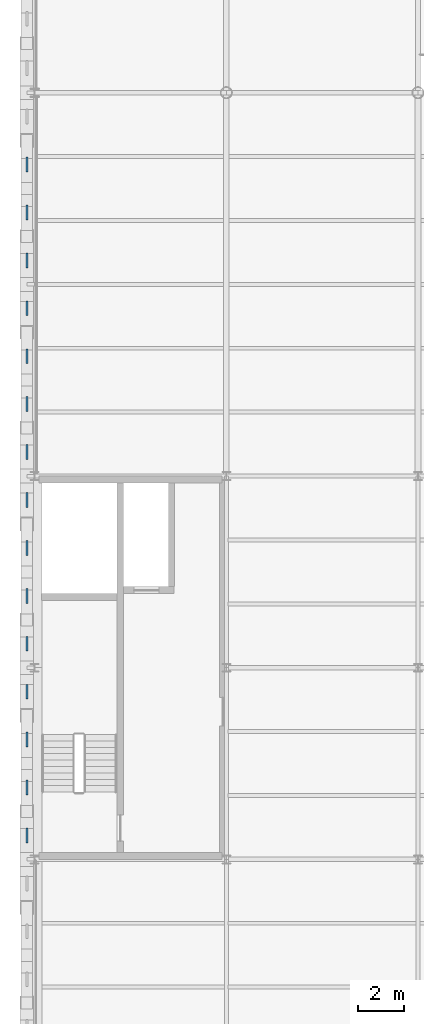
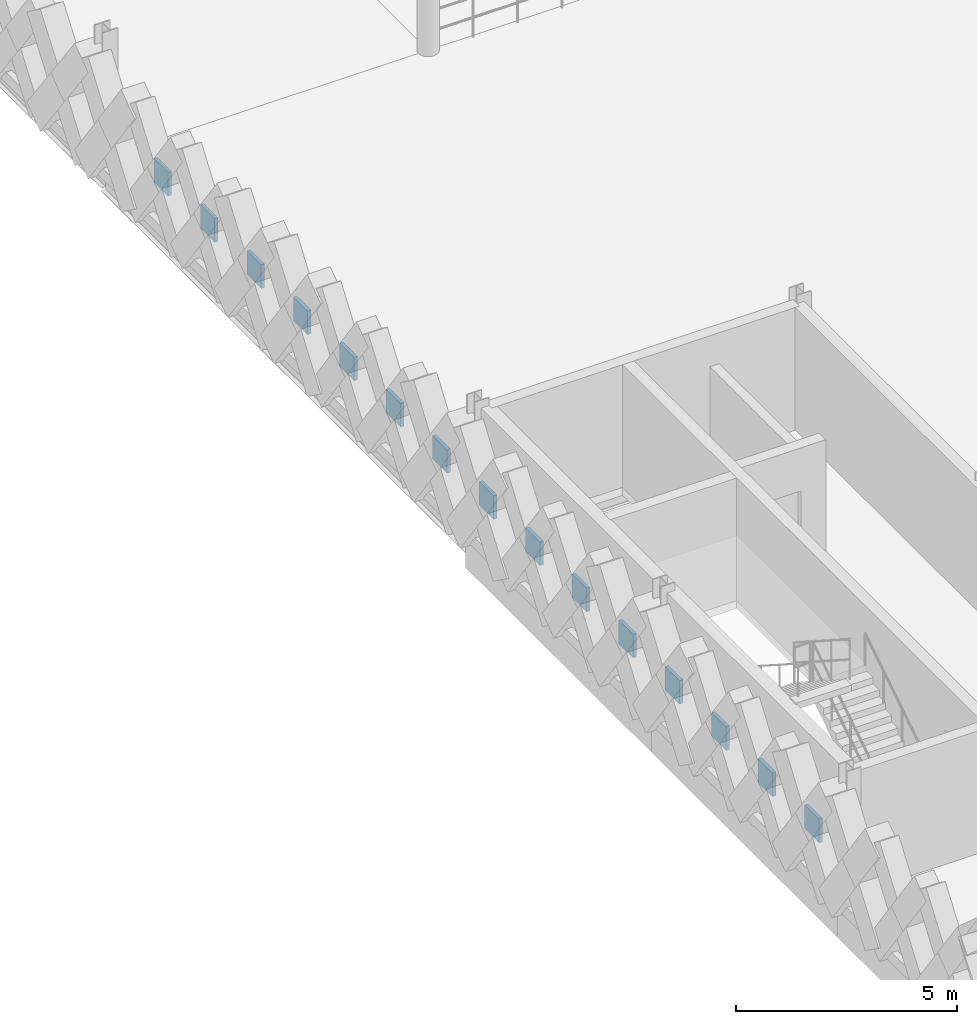
# One storey, part 78 of 101: 15 plates.
"""IFC4 building model written with IfcOpenShell, lengths in metres."""

from ifc_helpers import new_model, si_unit, direction, frame, origin, origin_2d, place, context, subcontext, project, spatial, rectangle, extrude, material, layer, layer_set, type_object, element, save


model = new_model("IFC4")

# Units and contexts
model_context = context("Model", 3, precision=1e-05, world=origin(), true_north=direction((0.0, 1.0)))
body_context = subcontext(model_context, "Body", "Model", "MODEL_VIEW")
ifc_project = project(units=[si_unit("LENGTHUNIT", "METRE"), si_unit("AREAUNIT", "SQUARE_METRE"), si_unit("VOLUMEUNIT", "CUBIC_METRE"), si_unit("PLANEANGLEUNIT", "RADIAN"), si_unit("MASSUNIT", "GRAM", prefix="KILO"), si_unit("THERMODYNAMICTEMPERATUREUNIT", "KELVIN"), si_unit("POWERUNIT", "WATT")], contexts=[model_context])

# Site, building, storey
site_placement = place(None, origin())
site = spatial("IfcSite", under=ifc_project, at=site_placement, CompositionType="ELEMENT")
building_placement = place(site_placement, origin())
building = spatial("IfcBuilding", under=site, at=building_placement, Name="Tembeka Court Mobility Hub", CompositionType="ELEMENT")
storey_placement = place(building_placement, frame((0.0, 0.0, 5.39990234375)))
storey = spatial("IfcBuildingStorey", under=building, at=storey_placement, Name="L01", CompositionType="ELEMENT", Elevation=5.39990234375)

# Plates
ifc_material = material(Name="Precast concrete C45/55", Category="concrete")
ifc_layer = layer(ifc_material, 0.090087890625)
ifc_layer_set = layer_set([ifc_layer], Name="Precast concrete C45/55")
plate_type = type_object("IfcPlateType", Name="PL-PC01", PredefinedType="SHEET", material=ifc_layer_set)
for number, where, z_axis, x_axis, name in (
    (1, (-0.340087890625, 64.64990234375, 1.16015625), (0.0, 0.0, 1.0), (1.0, 0.0, 0.0), "Precast diamond lattice node plate PCN01 (L01-119)"),
    (2, (-0.340087890625, 66.75, 1.16015625), (0.0, 0.0, 1.0), (1.0, 0.0, 0.0), "Precast diamond lattice node plate PCN01 (L01-120)"),
    (3, (-0.340087890625, 68.85009765625, 1.16015625), (0.0, 0.0, 1.0), (1.0, 0.0, 0.0), "Precast diamond lattice node plate PCN01 (L01-121)"),
    (4, (-0.340087890625, 70.949951171875, 1.16015625), (0.0, 0.0, 1.0), (1.0, 0.0, 0.0), "Precast diamond lattice node plate PCN01 (L01-122)"),
    (5, (-0.340087890625, 73.050048828125, 1.16015625), (0.0, 0.0, 1.0), (1.0, 0.0, 0.0), "Precast diamond lattice node plate PCN01 (L01-123)"),
    (6, (-0.340087890625, 75.14990234375, 1.16015625), (0.0, 0.0, 1.0), (1.0, 0.0, 0.0), "Precast diamond lattice node plate PCN01 (L01-124)"),
    (7, (-0.340087890625, 77.25, 1.16015625), (0.0, 0.0, 1.0), (1.0, 0.0, 0.0), "Precast diamond lattice node plate PCN01 (L01-125)"),
    (8, (-0.340087890625, 79.35009765625, 1.16015625), (0.0, 0.0, 1.0), (1.0, 0.0, 0.0), "Precast diamond lattice node plate PCN01 (L01-126)"),
    (9, (-0.340087890625, 81.449951171875, 1.16015625), (0.0, 0.0, 1.0), (1.0, 0.0, 0.0), "Precast diamond lattice node plate PCN01 (L01-127)"),
    (10, (-0.340087890625, 83.550048828125, 1.16015625), (0.0, 0.0, 1.0), (1.0, 0.0, 0.0), "Precast diamond lattice node plate PCN01 (L01-128)"),
    (11, (-0.340087890625, 85.64990234375, 1.16015625), (0.0, 0.0, 1.0), (1.0, 0.0, 0.0), "Precast diamond lattice node plate PCN01 (L01-129)"),
    (12, (-0.340087890625, 87.75, 1.16015625), (0.0, 0.0, 1.0), (1.0, 0.0, 0.0), "Precast diamond lattice node plate PCN01 (L01-130)"),
    (13, (-0.340087890625, 89.85009765625, 1.16015625), (0.0, 0.0, 1.0), (1.0, 0.0, 0.0), "Precast diamond lattice node plate PCN01 (L01-131)"),
    (14, (-0.340087890625, 91.949951171875, 1.16015625), (0.0, 0.0, 1.0), (1.0, 0.0, 0.0), "Precast diamond lattice node plate PCN01 (L01-132)"),
    (15, (-0.340087890625, 94.050048828125, 1.16015625), (0.0, 0.0, 1.0), (1.0, 0.0, 0.0), "Precast diamond lattice node plate PCN01 (L01-133)"),
):
    element("IfcPlate", number, at=place(storey_placement, frame(where, z_axis=z_axis, x_axis=x_axis)), inside=storey, type_object=plate_type, Name=name, PredefinedType="SHEET", context=body_context, shape_type="SweptSolid", body=[
        extrude(rectangle(XDim=0.090087890625, YDim=0.64990234375, at=origin_2d()), origin(), (0.0, 0.0, 1.0), 0.64990234375),
    ])

save(model, "model.ifc")
